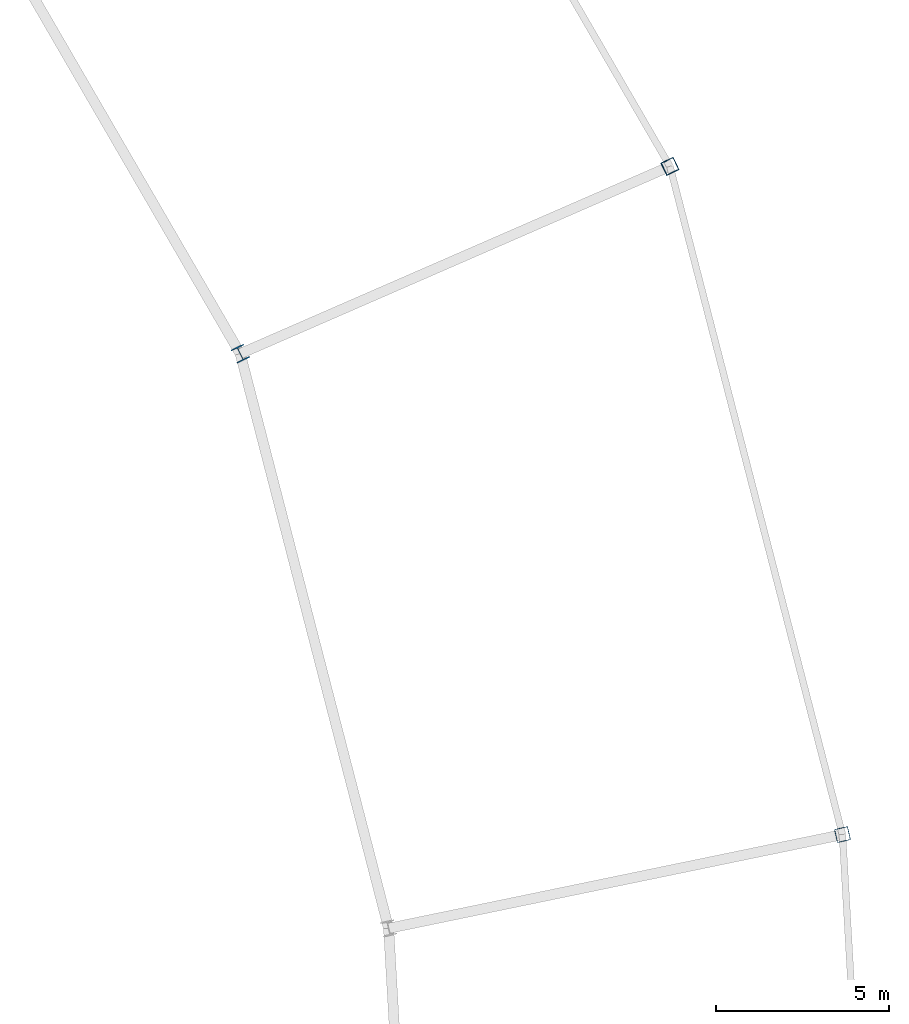
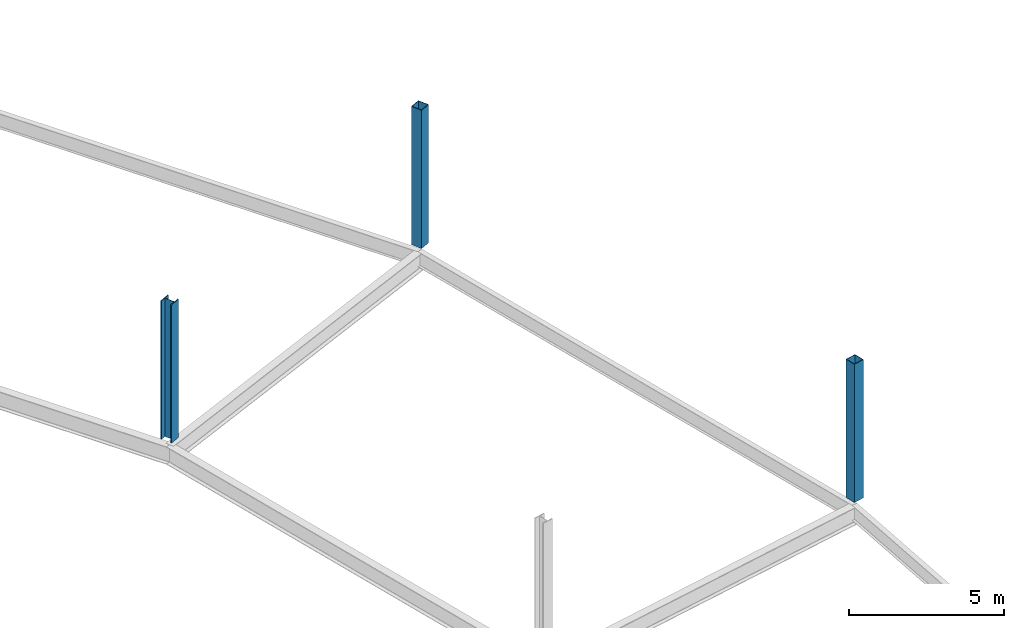
# One storey, part 8 of 86: 3 columns.
"""IFC4 building model written with IfcOpenShell, lengths in metres."""

from ifc_helpers import new_model, si_unit, direction, frame, origin, origin_2d, place, context, subcontext, project, spatial, hollow_rectangle, i_section, extrude, material, material_profile, profile_set, type_object, element, save


model = new_model("IFC4")

# Units and contexts
model_context = context("Model", 3, precision=1e-05, world=origin(), true_north=direction((0.0, 1.0)))
body_context = subcontext(model_context, "Body", "Model", "MODEL_VIEW")
ifc_project = project(units=[si_unit("LENGTHUNIT", "METRE"), si_unit("AREAUNIT", "SQUARE_METRE"), si_unit("VOLUMEUNIT", "CUBIC_METRE"), si_unit("PLANEANGLEUNIT", "RADIAN"), si_unit("MASSUNIT", "GRAM", prefix="KILO")], contexts=[model_context])

# Site, building, storey
site_placement = place(None, origin())
site = spatial("IfcSite", under=ifc_project, at=site_placement, CompositionType="ELEMENT")
building_placement = place(site_placement, origin())
building = spatial("IfcBuilding", under=site, at=building_placement, Name="Kazemori Nagisa Stadium", CompositionType="ELEMENT")
storey_placement = place(building_placement, frame((0.0, 0.0, 31.280029296875)))
storey = spatial("IfcBuildingStorey", under=building, at=storey_placement, Name="L06", CompositionType="ELEMENT", Elevation=31.280029296875)

# Columns
ifc_material_1 = material(Name="Steel SN490B", Category="steel")
ifc_material_profile_1 = material_profile(ifc_material_1, i_section(OverallWidth=0.406982421875, OverallDepth=0.427978515625, WebThickness=0.02001953125, FlangeThickness=0.034912109375, FilletRadius=0.012939453125, at=origin_2d()), Name="H-428x407x20x35")
ifc_profile_set_1 = profile_set([ifc_material_profile_1], Name="Steel SN490B")
column_type_1 = type_object("IfcColumnType", Name="Column_C-H428", PredefinedType="COLUMN", material=ifc_profile_set_1)
column_placement = place(storey_placement, frame((199.44091796875, 135.32470703125, 0.0), z_axis=(0.0, 0.0, 1.0), x_axis=(0.900968867905, 0.433883739113, 0.0)))
element("IfcColumn", 1, at=column_placement, inside=storey, type_object=column_type_1, Name="Column C-H428 L06 R2-03", PredefinedType="COLUMN", context=body_context, shape_type="SweptSolid", body=[
    extrude(i_section(OverallWidth=0.406982421875, OverallDepth=0.427978515625, WebThickness=0.02001953125, FlangeThickness=0.034912109375, FilletRadius=0.012939453125, at=origin_2d()), origin(), (0.0, 0.0, 1.0), 5.43994140625),
])
ifc_material_2 = material(Name="Steel STKR490", Category="steel")
ifc_material_profile_2 = material_profile(ifc_material_2, hollow_rectangle(XDim=0.39990234375, YDim=0.39990234375, WallThickness=0.01904296875, at=origin_2d()), Name="SHS-400x400x19")
ifc_profile_set_2 = profile_set([ifc_material_profile_2], Name="Steel STKR490")
column_type_2 = type_object("IfcColumnType", Name="Column_C-ST400", PredefinedType="COLUMN", material=ifc_profile_set_2)
for number, where, z_axis, x_axis, name in (
    (2, (216.880859375, 121.397705078125, 0.0), (0.0, 0.0, 1.0), (0.974927912182, 0.222520933954, 0.0), "Column C-ST400 L06 R3-02"),
    (3, (211.885009765625, 140.74951171875, 0.0), (0.0, 0.0, 1.0), (0.900968867905, 0.433883739113, 0.0), "Column C-ST400 L06 R3-03"),
):
    element("IfcColumn", number, at=place(storey_placement, frame(where, z_axis=z_axis, x_axis=x_axis)), inside=storey, type_object=column_type_2, Name=name, PredefinedType="COLUMN", context=body_context, shape_type="SweptSolid", body=[
        extrude(hollow_rectangle(XDim=0.39990234375, YDim=0.39990234375, WallThickness=0.01904296875, at=origin_2d()), origin(), (0.0, 0.0, 1.0), 5.43994140625),
    ])

save(model, "model.ifc")
